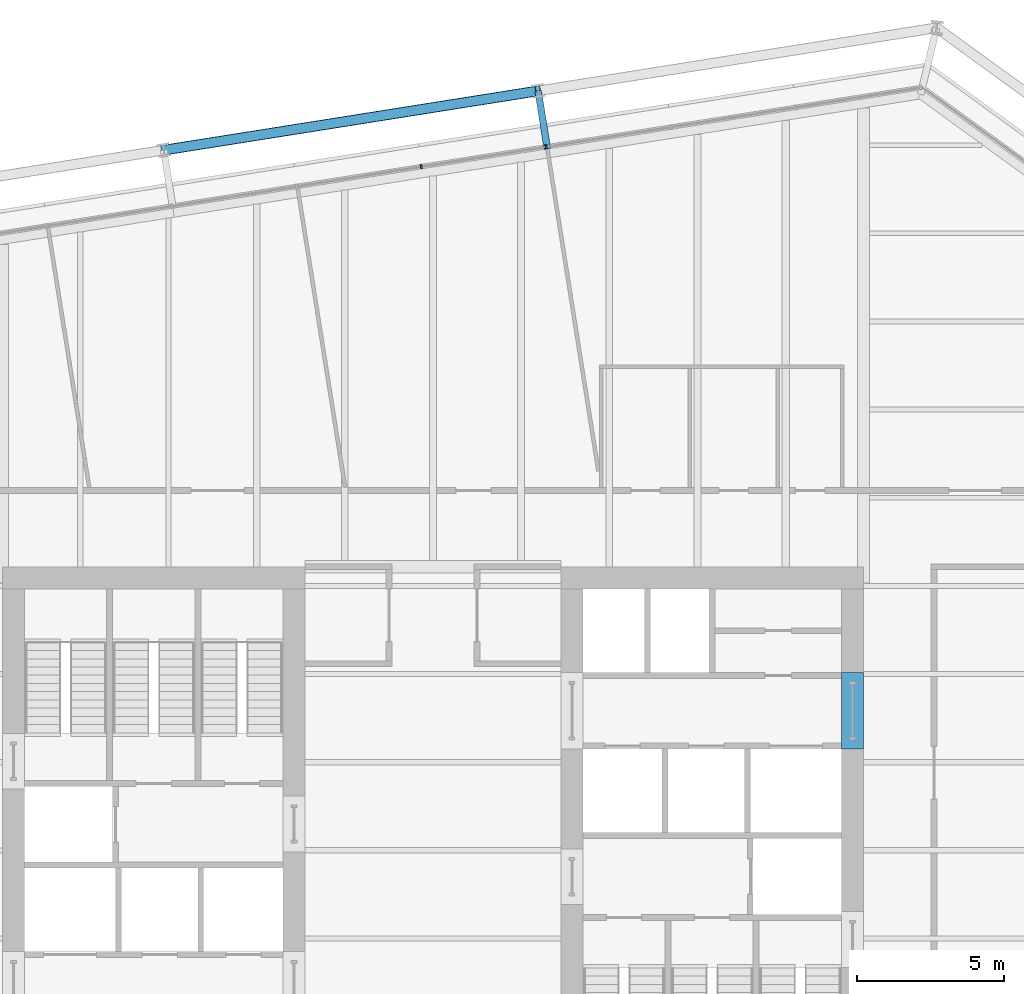
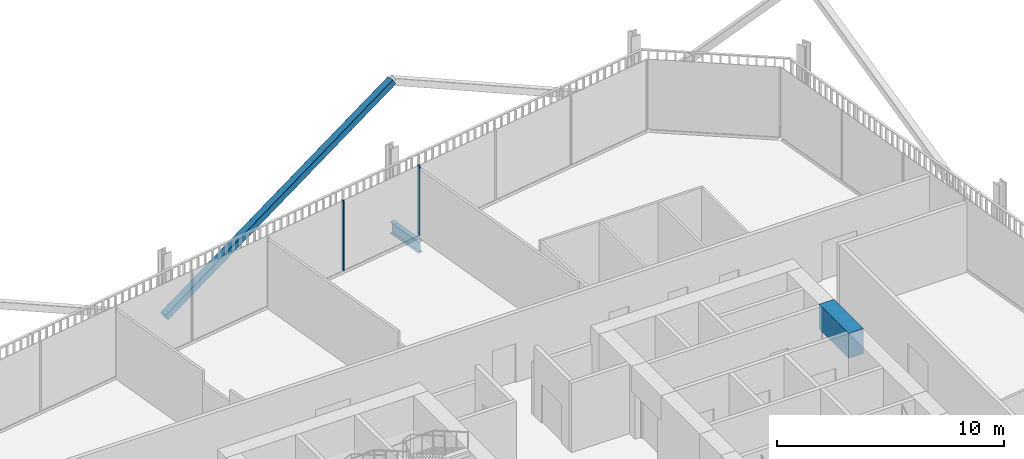
# One storey, part 13 of 22: 3 members, 2 beams, 1 element without a shape of its own.
"""IFC4 building model written with IfcOpenShell, lengths in metres."""

from ifc_helpers import new_model, si_unit, direction, frame, origin, origin_2d, place, context, subcontext, project, spatial, rectangle, hollow_rectangle, i_section, extrude, material, layer, layer_set, material_profile, profile_set, type_object, element, aggregate, save


model = new_model("IFC4")

# Units and contexts
model_context = context("Model", 3, precision=1e-05, world=origin(), true_north=direction((0.0, 1.0)))
body_context = subcontext(model_context, "Body", "Model", "MODEL_VIEW")
ifc_project = project(units=[si_unit("LENGTHUNIT", "METRE"), si_unit("AREAUNIT", "SQUARE_METRE"), si_unit("VOLUMEUNIT", "CUBIC_METRE"), si_unit("PLANEANGLEUNIT", "RADIAN"), si_unit("MASSUNIT", "GRAM", prefix="KILO")], contexts=[model_context])

# Site, building, storey
site_placement = place(None, origin())
site = spatial("IfcSite", under=ifc_project, at=site_placement, CompositionType="ELEMENT")
building_placement = place(site_placement, origin())
building = spatial("IfcBuilding", under=site, at=building_placement, Name="Millrace Tower", CompositionType="ELEMENT")
storey_placement = place(building_placement, frame((0.0, 0.0, 152.89990234375)))
storey = spatial("IfcBuildingStorey", under=building, at=storey_placement, Name="L34", CompositionType="ELEMENT", Elevation=152.89990234375)

# Curtain wall, members
ifc_material_1 = material(Name="Aluminium and glass", Category="aluminium")
ifc_layer = layer(ifc_material_1, 0.14990234375)
ifc_layer_set = layer_set([ifc_layer], Name="Aluminium and glass")
curtain_wall_type = type_object("IfcCurtainWallType", Name="CW-1 office vision curtain wall", PredefinedType="NOTDEFINED", material=ifc_layer_set)
curtain_wall_placement = place(storey_placement, origin())
curtain_wall = element("IfcCurtainWall", 1, at=curtain_wall_placement, inside=storey, type_object=curtain_wall_type, Name="Curtain wall C-F06 L34", PredefinedType="NOTDEFINED")
ifc_material_2 = material(Name="Aluminium", Category="aluminium")
ifc_material_profile_1 = material_profile(ifc_material_2, rectangle(XDim=0.06494140625, YDim=0.14990234375, at=origin_2d()))
ifc_profile_set_1 = profile_set([ifc_material_profile_1], Name="Aluminium")
member_type_1 = type_object("IfcMemberType", Name="CW-1 office vision curtain wall mullion", PredefinedType="MULLION", material=ifc_profile_set_1)
member_1_placement = place(storey_placement, frame((3.8505859375, 23.938720703125, 0.14013671875), z_axis=(0.0, 0.0, 1.0), x_axis=(-0.98768833929, -0.15643447328, 0.0)))
member_1 = element("IfcMember", 2, at=member_1_placement, type_object=member_type_1, Name="CW1 mullion C-F06.4", PredefinedType="MULLION", context=body_context, shape_type="SweptSolid", body=[
    extrude(rectangle(XDim=0.06494140625, YDim=0.14990234375, at=origin_2d()), origin(), (0.0, 0.0, 1.0), 3.760009765625),
])
member_2_placement = place(storey_placement, frame((-0.396484375, 23.26611328125, 0.14013671875), z_axis=(0.0, 0.0, 1.0), x_axis=(-0.98768833929, -0.15643447328, 0.0)))
member_2 = element("IfcMember", 3, at=member_2_placement, type_object=member_type_1, Name="CW1 mullion C-F06.5", PredefinedType="MULLION", context=body_context, shape_type="SweptSolid", body=[
    extrude(rectangle(XDim=0.06494140625, YDim=0.14990234375, at=origin_2d()), origin(), (0.0, 0.0, 1.0), 3.760009765625),
])
aggregate(curtain_wall, [member_1, member_2])

# Beam
ifc_material_3 = material(Name="Concrete C70", Category="concrete")
ifc_material_profile_2 = material_profile(ifc_material_3, rectangle(XDim=0.75, YDim=1.340087890625, at=origin_2d()))
ifc_profile_set_2 = profile_set([ifc_material_profile_2], Name="Concrete C70")
beam_type_1 = type_object("IfcBeamType", Name="Coupling beam 750 x 1340 Concrete C70, 2000 opening", PredefinedType="BEAM", material=ifc_profile_set_2)
beam_1_placement = place(storey_placement, frame((14.27490234375, 6.050048828125, 3.070068359375), z_axis=(0.0, -1.0, 0.0), x_axis=(1.0, 0.0, 0.0)))
element("IfcBeam", 4, at=beam_1_placement, inside=storey, type_object=beam_type_1, Name="Coupling beam E L34", PredefinedType="BEAM", context=body_context, shape_type="SweptSolid", body=[
    extrude(rectangle(XDim=0.75, YDim=1.340087890625, at=origin_2d()), origin(), (0.0, 0.0, 1.0), 2.60009765625),
])

# Member
ifc_material_4 = material(Name="Steel ASTM A500 Grade C", Category="steel")
ifc_material_profile_3 = material_profile(ifc_material_4, hollow_rectangle(XDim=0.355712890625, YDim=0.355712890625, WallThickness=0.015869140625, InnerFilletRadius=0.008056640625, OuterFilletRadius=0.02392578125, at=origin_2d()))
ifc_profile_set_3 = profile_set([ifc_material_profile_3], Name="Steel ASTM A500 Grade C")
member_type_2 = type_object("IfcMemberType", Name="Exoskeleton brace HSS14x14x5/8", PredefinedType="BRACE", material=ifc_profile_set_3)
member_3_placement = place(storey_placement, frame((-9.15966796875, 23.8271484375, 0.400146484375), z_axis=(0.868115902798, 0.137483289964, 0.476941426478), x_axis=(-0.15642030113, 0.987690583834, 0.0)))
element("IfcMember", 5, at=member_3_placement, inside=storey, type_object=member_type_2, Name="BRC-C-L34-11", PredefinedType="BRACE", context=body_context, shape_type="SweptSolid", body=[
    extrude(hollow_rectangle(XDim=0.355712890625, YDim=0.355712890625, WallThickness=0.015869140625, InnerFilletRadius=0.008056640625, OuterFilletRadius=0.02392578125, at=origin_2d()), origin(), (0.0, 0.0, 1.0), 14.6767578125),
])

# Beam
ifc_material_5 = material(Name="Steel ASTM A992 Grade 50", Category="steel")
ifc_material_profile_4 = material_profile(ifc_material_5, i_section(OverallWidth=0.23046875, OverallDepth=0.6171875, WebThickness=0.01318359375, FlangeThickness=0.022216796875, FilletRadius=0.012939453125, at=origin_2d()))
ifc_profile_set_4 = profile_set([ifc_material_profile_4], Name="Steel ASTM A992 Grade 50")
beam_type_2 = type_object("IfcBeamType", Name="Link beam W24x94", PredefinedType="BEAM", material=ifc_profile_set_4)
beam_2_placement = place(storey_placement, frame((3.894287109375, 23.86962890625, -0.468505859375), z_axis=(-0.15637629034, 0.987697552806, 0.0), x_axis=(-0.987697552806, -0.15637629034, 0.0)))
element("IfcBeam", 6, at=beam_2_placement, inside=storey, type_object=beam_type_2, Name="LNK-C-L34-S1-07", PredefinedType="BEAM", context=body_context, shape_type="SweptSolid", body=[
    extrude(i_section(OverallWidth=0.23046875, OverallDepth=0.6171875, WebThickness=0.01318359375, FlangeThickness=0.022216796875, FilletRadius=0.012939453125, at=origin_2d()), origin(), (0.0, 0.0, 1.0), 2.0),
])

save(model, "model.ifc")
